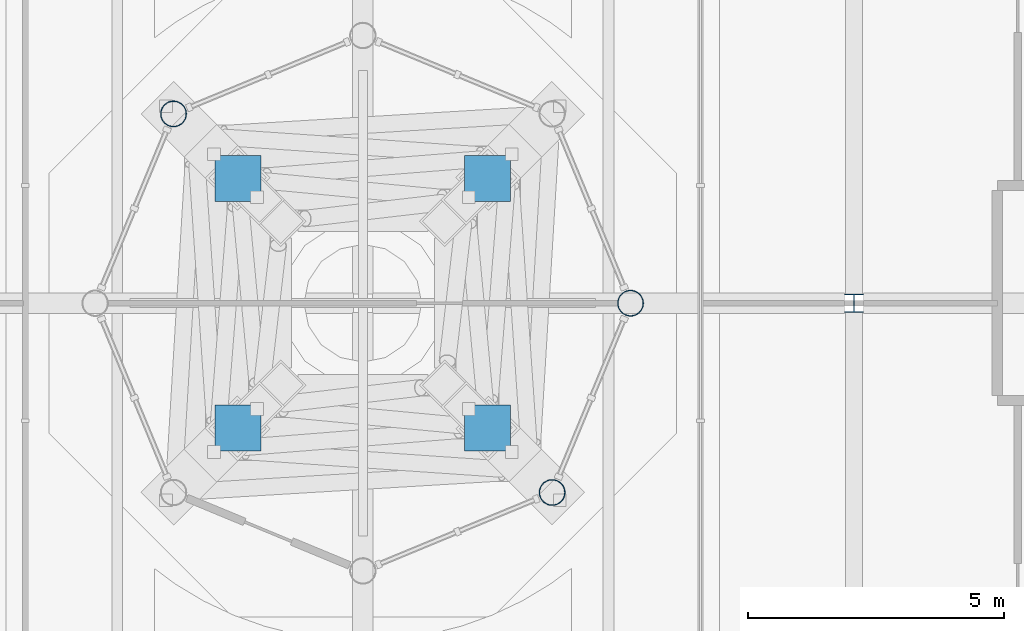
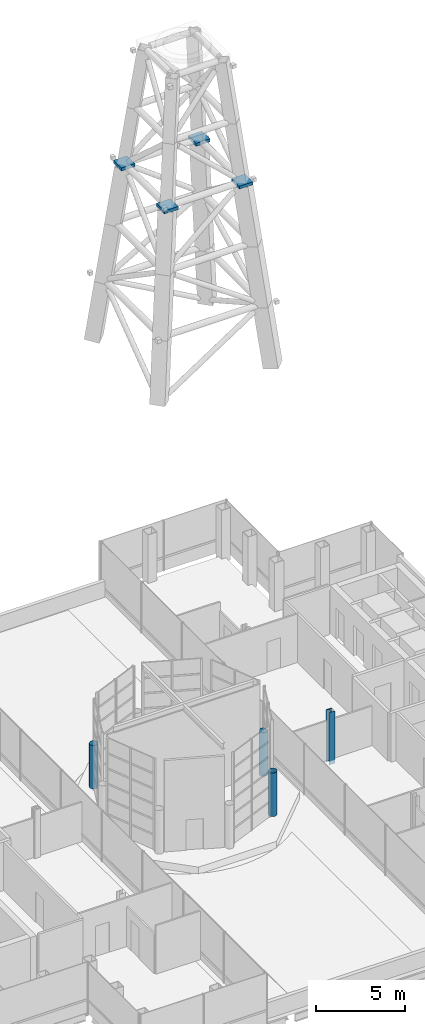
# One storey, part 2 of 32: 8 columns.
"""IFC4 building model written with IfcOpenShell, lengths in metres."""

from ifc_helpers import new_model, si_unit, direction, frame, origin, origin_2d, place, context, subcontext, project, spatial, rectangle, hollow_circle, i_section, extrude, material, material_profile, profile_set, type_object, element, save


model = new_model("IFC4")

# Units and contexts
model_context = context("Model", 3, precision=1e-05, world=origin(), true_north=direction((0.0, 1.0)))
body_context = subcontext(model_context, "Body", "Model", "MODEL_VIEW")
ifc_project = project(units=[si_unit("LENGTHUNIT", "METRE"), si_unit("AREAUNIT", "SQUARE_METRE"), si_unit("VOLUMEUNIT", "CUBIC_METRE"), si_unit("PLANEANGLEUNIT", "RADIAN"), si_unit("MASSUNIT", "GRAM", prefix="KILO")], contexts=[model_context])

# Site, building, storey
site_placement = place(None, origin())
site = spatial("IfcSite", under=ifc_project, at=site_placement, CompositionType="ELEMENT")
building_placement = place(site_placement, origin())
building = spatial("IfcBuilding", under=site, at=building_placement, Name="Cobrizo Arcos Hotel Tower", CompositionType="ELEMENT")
storey_placement = place(building_placement, frame((0.0, 0.0, 265.5)))
storey = spatial("IfcBuildingStorey", under=building, at=storey_placement, Name="L70", CompositionType="ELEMENT", Elevation=265.5)

# Columns
ifc_material_1 = material(Name="Steel ASTM A500 Grade C", Category="steel")
ifc_material_profile_1 = material_profile(ifc_material_1, hollow_circle(Radius=0.25390625, WallThickness=0.01171875, at=origin_2d()), Name="HSS20.000X0.500")
ifc_profile_set_1 = profile_set([ifc_material_profile_1], Name="Steel ASTM A500 Grade C")
column_type_1 = type_object("IfcColumnType", Name="HSS20.000X0.500 drum column", PredefinedType="COLUMN", material=ifc_profile_set_1)
for number, where, z_axis, x_axis, name in (
    (1, (5.232666015625, 0.0, 0.5), (0.0, 0.0, 1.0), (1.0, 0.0, 0.0), "Drum column DC1, line 0, no. 0"),
    (2, (-3.699951171875, 3.699951171875, 0.5), (0.0, 0.0, 1.0), (1.0, 0.0, 0.0), "Drum column DC4, line 3, no. 0"),
    (3, (3.699951171875, -3.699951171875, 0.5), (0.0, 0.0, 1.0), (1.0, 0.0, 0.0), "Drum column DC8, line 7, no. 0"),
):
    element("IfcColumn", number, at=place(storey_placement, frame(where, z_axis=z_axis, x_axis=x_axis)), inside=storey, type_object=column_type_1, Name=name, PredefinedType="COLUMN", context=body_context, shape_type="SweptSolid", body=[
        extrude(hollow_circle(Radius=0.25390625, WallThickness=0.01171875, at=origin_2d()), origin(), (0.0, 0.0, 1.0), 3.0),
    ])
ifc_material_2 = material(Name="Steel ASTM A572 Grade 50", Category="steel")
ifc_material_profile_2 = material_profile(ifc_material_2, rectangle(XDim=0.89990234375, YDim=0.89990234375, at=origin_2d()), Name="MAST splice block 900 square")
ifc_profile_set_2 = profile_set([ifc_material_profile_2], Name="Steel ASTM A572 Grade 50")
column_type_2 = type_object("IfcColumnType", Name="MAST splice block 900 square", PredefinedType="COLUMN", material=ifc_profile_set_2)
for number, where, z_axis, x_axis, name in (
    (4, (-2.43994140625, -2.43994140625, 43.699951171875), (0.0, 0.0, 1.0), (1.0, 0.0, 0.0), "MAST splice block SW level 3"),
    (5, (2.43994140625, -2.43994140625, 43.699951171875), (0.0, 0.0, 1.0), (1.0, 0.0, 0.0), "MAST splice block SE level 3"),
    (6, (2.43994140625, 2.43994140625, 43.699951171875), (0.0, 0.0, 1.0), (1.0, 0.0, 0.0), "MAST splice block NE level 3"),
    (7, (-2.43994140625, 2.43994140625, 43.699951171875), (0.0, 0.0, 1.0), (1.0, 0.0, 0.0), "MAST splice block NW level 3"),
):
    element("IfcColumn", number, at=place(storey_placement, frame(where, z_axis=z_axis, x_axis=x_axis)), inside=storey, type_object=column_type_2, Name=name, PredefinedType="COLUMN", context=body_context, shape_type="SweptSolid", body=[
        extrude(rectangle(XDim=0.89990234375, YDim=0.89990234375, at=origin_2d()), origin(), (0.0, 0.0, 1.0), 0.199951171875),
    ])
ifc_material_3 = material(Name="Steel ASTM A992 Grade 50", Category="steel")
ifc_material_profile_3 = material_profile(ifc_material_3, i_section(OverallWidth=0.368408203125, OverallDepth=0.355712890625, WebThickness=0.01123046875, FlangeThickness=0.01806640625, at=origin_2d()), Name="W14X90")
ifc_profile_set_3 = profile_set([ifc_material_profile_3], Name="Steel ASTM A992 Grade 50")
column_type_3 = type_object("IfcColumnType", Name="W14X90 interior column", PredefinedType="COLUMN", material=ifc_profile_set_3)
column_placement = place(storey_placement, frame((9.60009765625, 0.0, -0.25), z_axis=(0.0, 0.0, 1.0), x_axis=(1.0, 0.0, 0.0)))
element("IfcColumn", 8, at=column_placement, inside=storey, type_object=column_type_3, Name="Interior column C13, L70, no. 04", PredefinedType="COLUMN", context=body_context, shape_type="SweptSolid", body=[
    extrude(i_section(OverallWidth=0.368408203125, OverallDepth=0.355712890625, WebThickness=0.01123046875, FlangeThickness=0.01806640625, at=origin_2d()), origin(), (0.0, 0.0, 1.0), 3.60009765625),
])

save(model, "model.ifc")
